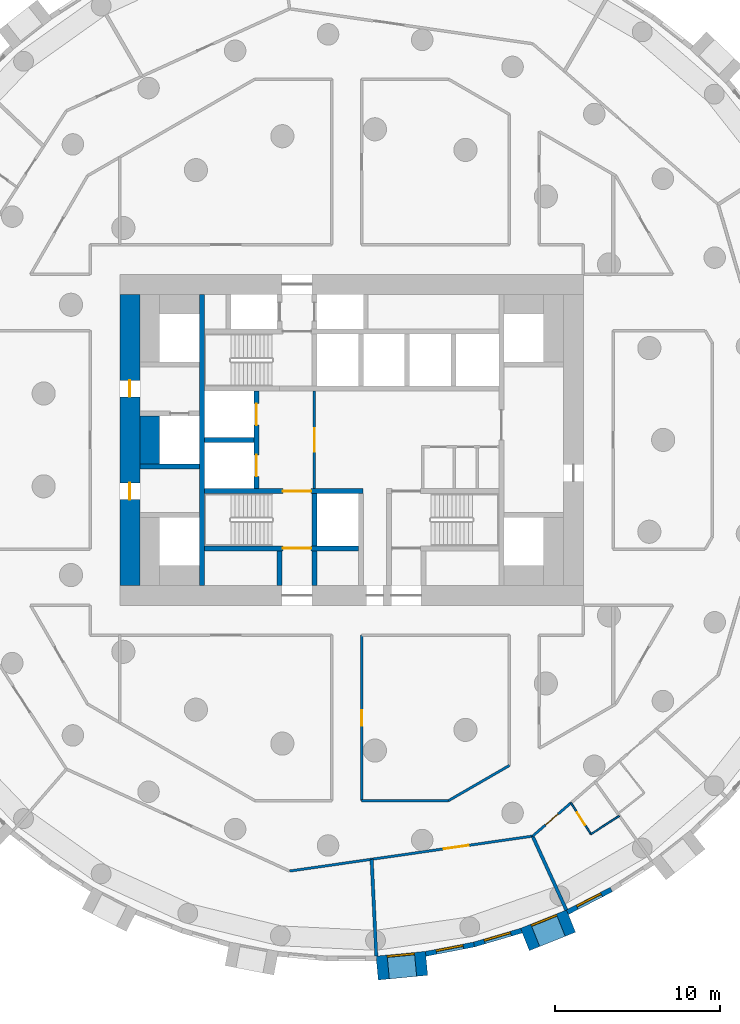
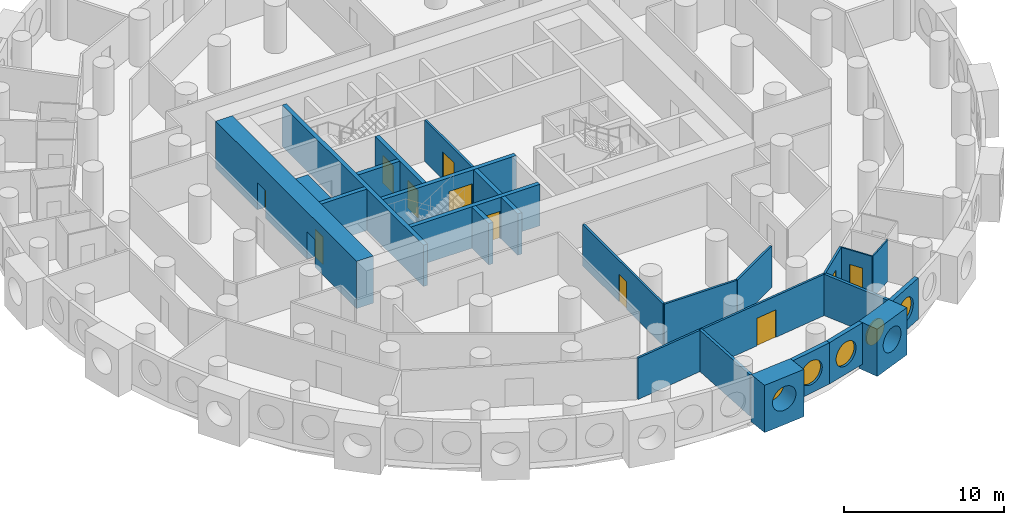
# One storey, part 4 of 11: 26 walls, 11 doors, 5 windows, 16 openings.
"""IFC4 building model written with IfcOpenShell, lengths in metres."""

from ifc_helpers import new_model, si_unit, direction, frame, frame_2d, origin, origin_2d, place, context, subcontext, project, spatial, rectangle, circle, extrude, material, layer, layer_set, type_object, element, fill, save


model = new_model("IFC4")

# Units and contexts
model_context = context("Model", 3, precision=1e-05, world=origin(), true_north=direction((0.0, 1.0)))
body_context = subcontext(model_context, "Body", "Model", "MODEL_VIEW")
ifc_project = project(units=[si_unit("LENGTHUNIT", "METRE"), si_unit("AREAUNIT", "SQUARE_METRE"), si_unit("VOLUMEUNIT", "CUBIC_METRE"), si_unit("PLANEANGLEUNIT", "RADIAN"), si_unit("MASSUNIT", "GRAM", prefix="KILO")], contexts=[model_context])

# Site, building, storey
site_placement = place(None, origin())
site = spatial("IfcSite", under=ifc_project, at=site_placement, CompositionType="ELEMENT")
building_placement = place(site_placement, origin())
building = spatial("IfcBuilding", under=site, at=building_placement, Name="Tracery Tower", CompositionType="ELEMENT")
storey_placement = place(building_placement, frame((0.0, 0.0, 67.800048828125)))
storey = spatial("IfcBuildingStorey", under=building, at=storey_placement, Name="L16", CompositionType="ELEMENT", Elevation=67.800048828125)

# Wall, opening, door
ifc_material_1 = material(Name="Plasterboard on steel studs", Category="steel")
ifc_layer_1 = layer(ifc_material_1, 0.14990234375)
ifc_layer_set_1 = layer_set([ifc_layer_1], Name="Core lobby partition 150")
wall_type_1 = type_object("IfcWallType", Name="Core lobby partition 150", PredefinedType="SOLIDWALL", material=ifc_layer_set_1)
wall_1_placement = place(storey_placement, frame((-2.25, -2.949951171875, 0.0), z_axis=(0.0, 0.0, 1.0), x_axis=(0.0, 1.0, 0.0)))
wall_1 = element("IfcWall", 1, at=wall_1_placement, inside=storey, type_object=wall_type_1, Name="L16 FF lobby E", PredefinedType="SOLIDWALL", context=body_context, shape_type="SweptSolid", body=[
    extrude(rectangle(XDim=5.89990234375, YDim=0.14990234375, at=frame_2d((2.949951171875, 0.0))), origin(), (0.0, 0.0, 1.0), 3.14990234375),
])
opening_1_placement = place(wall_1_placement, frame((2.25, 0.0, 0.0)))
opening_1 = element("IfcOpeningElement", 2, at=opening_1_placement, cuts=wall_1, Name="Opening KD8", PredefinedType="OPENING", context=body_context, shape_type="SweptSolid", body=[
    extrude(rectangle(XDim=1.39990234375, YDim=2.10009765625, at=frame_2d((0.699951171875, 1.050048828125))), frame((0.0, 0.074951171875, 0.0), z_axis=(0.0, -1.0, 0.0), x_axis=(1.0, 0.0, 0.0)), (0.0, 0.0, 1.0), 0.14990234375),
])
ifc_material_2 = material(Name="Steel fire door", Category="steel")
door_type_1 = type_object("IfcDoorType", Name="Core lobby door 1400 double", OperationType="NOTDEFINED", PredefinedType="DOOR", material=ifc_material_2)
door_1_placement = place(opening_1_placement, origin())
door_1 = element("IfcDoor", 3, at=door_1_placement, inside=storey, type_object=door_type_1, Name="Fire-fighting lobby door", OperationType="DOUBLE_DOOR_SINGLE_SWING", OverallHeight=2.10009765625, OverallWidth=1.39990234375, PredefinedType="DOOR", context=body_context, shape_type="SweptSolid", body=[
    extrude(rectangle(XDim=1.39990234375, YDim=2.10009765625, at=frame_2d((0.699951171875, 1.050048828125))), frame((0.0, 0.02490234375, 0.0), z_axis=(0.0, -1.0, 0.0), x_axis=(1.0, 0.0, 0.0)), (0.0, 0.0, 1.0), 0.050048828125),
])
fill(opening_1, door_1)

# Wall
ifc_material_3 = material(Name="Concrete C60/75", Category="concrete")
ifc_layer_2 = layer(ifc_material_3, 1.199951171875)
ifc_layer_set_2 = layer_set([ifc_layer_2], Name="Core strip wall 1200 C60")
wall_type_2 = type_object("IfcWallType", Name="Core strip wall 1200 C60", PredefinedType="SOLIDWALL", material=ifc_layer_set_2)
wall_2_placement = place(storey_placement, frame((-12.199951171875, -1.449951171875, 0.0), z_axis=(0.0, 0.0, 1.0), x_axis=(0.0, 1.0, 0.0)))
element("IfcWall", 4, at=wall_2_placement, inside=storey, type_object=wall_type_2, Name="L16 wing strip -1 -1.6", PredefinedType="SOLIDWALL", context=body_context, shape_type="SweptSolid", body=[
    extrude(rectangle(XDim=2.89990234375, YDim=1.199951171875, at=frame_2d((1.449951171875, 0.0))), origin(), (0.0, 0.0, 1.0), 3.14990234375),
])

# Wall, openings, doors
ifc_material_4 = material(Name="Concrete C60/75", Category="concrete")
ifc_layer_3 = layer(ifc_material_4, 1.199951171875)
ifc_layer_set_3 = layer_set([ifc_layer_3], Name="Core wall 1200 C60")
wall_type_3 = type_object("IfcWallType", Name="Core wall 1200 C60", PredefinedType="SOLIDWALL", material=ifc_layer_set_3)
wall_3_placement = place(storey_placement, frame((-13.39990234375, -8.800048828125, 0.0), z_axis=(0.0, 0.0, 1.0), x_axis=(0.0, 1.0, 0.0)))
wall_3 = element("IfcWall", 5, at=wall_3_placement, inside=storey, type_object=wall_type_3, Name="L16 outer W", PredefinedType="SOLIDWALL", context=body_context, shape_type="SweptSolid", body=[
    extrude(rectangle(XDim=17.60009765625, YDim=1.199951171875, at=frame_2d((8.800048828125, 0.0))), origin(), (0.0, 0.0, 1.0), 3.599853515625),
])
opening_2_placement = place(wall_3_placement, frame((5.199951171875, 0.0, 0.0)))
opening_2 = element("IfcOpeningElement", 6, at=opening_2_placement, cuts=wall_3, Name="Opening KD18", PredefinedType="OPENING", context=body_context, shape_type="SweptSolid", body=[
    extrude(rectangle(XDim=1.0, YDim=2.10009765625, at=frame_2d((0.5, 1.050048828125))), frame((0.0, 0.60009765625, 0.0), z_axis=(0.0, -1.0, 0.0), x_axis=(1.0, 0.0, 0.0)), (0.0, 0.0, 1.0), 1.199951171875),
])
opening_3_placement = place(wall_3_placement, frame((11.39990234375, 0.0, 0.0)))
opening_3 = element("IfcOpeningElement", 7, at=opening_3_placement, cuts=wall_3, Name="Opening KD18", PredefinedType="OPENING", context=body_context, shape_type="SweptSolid", body=[
    extrude(rectangle(XDim=1.0, YDim=2.10009765625, at=frame_2d((0.5, 1.050048828125))), frame((0.0, 0.60009765625, 0.0), z_axis=(0.0, -1.0, 0.0), x_axis=(1.0, 0.0, 0.0)), (0.0, 0.0, 1.0), 1.199951171875),
])
ifc_material_5 = material(Name="Steel fire door", Category="steel")
door_type_2 = type_object("IfcDoorType", Name="Core exit door 1000", OperationType="NOTDEFINED", PredefinedType="DOOR", material=ifc_material_5)
door_2_placement = place(opening_2_placement, origin())
door_2 = element("IfcDoor", 8, at=door_2_placement, inside=storey, type_object=door_type_2, Name="Core exit door", OperationType="DOUBLE_DOOR_SINGLE_SWING", OverallHeight=2.10009765625, OverallWidth=1.0, PredefinedType="DOOR", context=body_context, shape_type="SweptSolid", body=[
    extrude(rectangle(XDim=1.0, YDim=2.10009765625, at=frame_2d((0.5, 1.050048828125))), frame((0.0, 0.02490234375, 0.0), z_axis=(0.0, -1.0, 0.0), x_axis=(1.0, 0.0, 0.0)), (0.0, 0.0, 1.0), 0.050048828125),
])
fill(opening_2, door_2)
door_3_placement = place(opening_3_placement, origin())
door_3 = element("IfcDoor", 9, at=door_3_placement, inside=storey, type_object=door_type_2, Name="Core exit door", OperationType="DOUBLE_DOOR_SINGLE_SWING", OverallHeight=2.10009765625, OverallWidth=1.0, PredefinedType="DOOR", context=body_context, shape_type="SweptSolid", body=[
    extrude(rectangle(XDim=1.0, YDim=2.10009765625, at=frame_2d((0.5, 1.050048828125))), frame((0.0, 0.02490234375, 0.0), z_axis=(0.0, -1.0, 0.0), x_axis=(1.0, 0.0, 0.0)), (0.0, 0.0, 1.0), 0.050048828125),
])
fill(opening_3, door_3)

# Wall, opening, window
ifc_material_6 = material(Name="Precast concrete C50/60", Category="concrete")
ifc_layer_4 = layer(ifc_material_6, 1.449951171875)
ifc_layer_set_4 = layer_set([ifc_layer_4], Name="Deep-set bay unit 3000 x 3600, slab edge 450")
wall_type_4 = type_object("IfcWallType", Name="Deep-set bay unit 3000 x 3600, slab edge 450", PredefinedType="ELEMENTEDWALL", material=ifc_layer_set_4)
wall_4_placement = place(storey_placement, frame((1.540283203125, -31.911865234375, -0.449951171875), z_axis=(0.0, 0.0, 1.0), x_axis=(0.995472768558, 0.09504718333, 0.0)))
wall_4 = element("IfcWall", 10, at=wall_4_placement, inside=storey, type_object=wall_type_4, Name="Deep-set bay unit 51 at L16", PredefinedType="ELEMENTEDWALL", context=body_context, shape_type="SweptSolid", body=[
    extrude(rectangle(XDim=3.000244140625, YDim=1.449951171875, at=frame_2d((1.5, 0.0))), origin(), (0.0, 0.0, 1.0), 3.599853515625),
])
opening_4_placement = place(wall_4_placement, frame((1.5, 0.0, 2.0)))
opening_4 = element("IfcOpeningElement", 11, at=opening_4_placement, cuts=wall_4, Name="Opening WN1", PredefinedType="OPENING", context=body_context, shape_type="SweptSolid", body=[
    extrude(circle(Radius=0.9000244140625, at=origin_2d()), frame((0.0, 0.73486328125, 0.0), z_axis=(0.0, -1.0, 0.0), x_axis=(1.0, 0.0, 0.0)), (0.0, 0.0, 1.0), 1.469970703125),
])
ifc_material_7 = material(Name="Aluminium frame with tinted double glazing", Category="aluminium")
window_type = type_object("IfcWindowType", Name="Round window 1800", PartitioningType="SINGLE_PANEL", PredefinedType="WINDOW", material=ifc_material_7)
window_1_placement = place(opening_4_placement, origin())
window_1 = element("IfcWindow", 12, at=window_1_placement, inside=storey, type_object=window_type, Name="Round window 51 at L16", OverallHeight=1.800048828125, OverallWidth=1.800048828125, PartitioningType="SINGLE_PANEL", PredefinedType="WINDOW", context=body_context, shape_type="SweptSolid", body=[
    extrude(circle(Radius=0.9000244140625, at=origin_2d()), frame((0.0, 0.69482421875, 0.0), z_axis=(0.0, -1.0, 0.0), x_axis=(1.0, 0.0, 0.0)), (0.0, 0.0, 1.0), 0.10009765625),
])
fill(opening_4, window_1)

wall_5_placement = place(storey_placement, frame((10.46875, -30.185302734375, -0.449951171875), z_axis=(0.0, 0.0, 1.0), x_axis=(0.928358776184, 0.371685327504, 0.0)))
wall_5 = element("IfcWall", 13, at=wall_5_placement, inside=storey, type_object=wall_type_4, Name="Deep-set bay unit 54 at L16", PredefinedType="ELEMENTEDWALL", context=body_context, shape_type="SweptSolid", body=[
    extrude(rectangle(XDim=2.999755859375, YDim=1.449951171875, at=frame_2d((1.5, 0.0))), origin(), (0.0, 0.0, 1.0), 3.599853515625),
])
opening_5_placement = place(wall_5_placement, frame((1.5, 0.0, 2.0)))
opening_5 = element("IfcOpeningElement", 14, at=opening_5_placement, cuts=wall_5, Name="Opening WN1", PredefinedType="OPENING", context=body_context, shape_type="SweptSolid", body=[
    extrude(circle(Radius=0.9000244140625, at=origin_2d()), frame((0.0, 0.73486328125, 0.0), z_axis=(0.0, -1.0, 0.0), x_axis=(1.0, 0.0, 0.0)), (0.0, 0.0, 1.0), 1.469970703125),
])
window_2_placement = place(opening_5_placement, origin())
window_2 = element("IfcWindow", 15, at=window_2_placement, inside=storey, type_object=window_type, Name="Round window 54 at L16", OverallHeight=1.800048828125, OverallWidth=1.800048828125, PartitioningType="SINGLE_PANEL", PredefinedType="WINDOW", context=body_context, shape_type="SweptSolid", body=[
    extrude(circle(Radius=0.9000244140625, at=origin_2d()), frame((0.0, 0.69482421875, 0.0), z_axis=(0.0, -1.0, 0.0), x_axis=(1.0, 0.0, 0.0)), (0.0, 0.0, 1.0), 0.10009765625),
])
fill(opening_5, window_2)

ifc_material_8 = material(Name="Precast concrete C50/60", Category="concrete")
ifc_layer_5 = layer(ifc_material_8, 0.300048828125)
ifc_layer_set_5 = layer_set([ifc_layer_5], Name="Facade panel 3000 x 3150")
wall_type_5 = type_object("IfcWallType", Name="Facade panel 3000 x 3150", PredefinedType="SOLIDWALL", material=ifc_layer_set_5)
wall_6_placement = place(storey_placement, frame((4.470947265625, -31.053955078125, 0.0), z_axis=(0.0, 0.0, 1.0), x_axis=(0.981924535406, 0.189272836848, 0.0)))
wall_6 = element("IfcWall", 16, at=wall_6_placement, inside=storey, type_object=wall_type_5, Name="Facade panel 52 at L16", PredefinedType="SOLIDWALL", context=body_context, shape_type="SweptSolid", body=[
    extrude(rectangle(XDim=2.979736328125, YDim=0.300048828125, at=frame_2d((1.48974609375, 0.0))), origin(), (0.0, 0.0, 1.0), 3.14990234375),
])
opening_6_placement = place(wall_6_placement, frame((1.48974609375, 0.0, 1.5498046875)))
opening_6 = element("IfcOpeningElement", 17, at=opening_6_placement, cuts=wall_6, Name="Opening WN1", PredefinedType="OPENING", context=body_context, shape_type="SweptSolid", body=[
    extrude(circle(Radius=0.9000244140625, at=origin_2d()), frame((0.0, 0.159912109375, 0.0), z_axis=(0.0, -1.0, 0.0), x_axis=(1.0, 0.0, 0.0)), (0.0, 0.0, 1.0), 0.320068359375),
])
window_3_placement = place(opening_6_placement, origin())
window_3 = element("IfcWindow", 18, at=window_3_placement, inside=storey, type_object=window_type, Name="Round window 52 at L16", OverallHeight=1.800048828125, OverallWidth=1.800048828125, PartitioningType="SINGLE_PANEL", PredefinedType="WINDOW", context=body_context, shape_type="SweptSolid", body=[
    extrude(circle(Radius=0.9000244140625, at=origin_2d()), frame((0.0, 0.1201171875, 0.0), z_axis=(0.0, -1.0, 0.0), x_axis=(1.0, 0.0, 0.0)), (0.0, 0.0, 1.0), 0.10009765625),
])
fill(opening_6, window_3)

wall_7_placement = place(storey_placement, frame((7.396728515625, -30.489990234375, 0.0), z_axis=(0.0, 0.0, 1.0), x_axis=(0.959507586834, 0.28168278401, 0.0)))
wall_7 = element("IfcWall", 19, at=wall_7_placement, inside=storey, type_object=wall_type_5, Name="Facade panel 53 at L16", PredefinedType="SOLIDWALL", context=body_context, shape_type="SweptSolid", body=[
    extrude(rectangle(XDim=2.979736328125, YDim=0.300048828125, at=frame_2d((1.48974609375, 0.0))), origin(), (0.0, 0.0, 1.0), 3.14990234375),
])
opening_7_placement = place(wall_7_placement, frame((1.48974609375, 0.0, 1.5498046875)))
opening_7 = element("IfcOpeningElement", 20, at=opening_7_placement, cuts=wall_7, Name="Opening WN1", PredefinedType="OPENING", context=body_context, shape_type="SweptSolid", body=[
    extrude(circle(Radius=0.9000244140625, at=origin_2d()), frame((0.0, 0.159912109375, 0.0), z_axis=(0.0, -1.0, 0.0), x_axis=(1.0, 0.0, 0.0)), (0.0, 0.0, 1.0), 0.320068359375),
])
window_4_placement = place(opening_7_placement, origin())
window_4 = element("IfcWindow", 21, at=window_4_placement, inside=storey, type_object=window_type, Name="Round window 53 at L16", OverallHeight=1.800048828125, OverallWidth=1.800048828125, PartitioningType="SINGLE_PANEL", PredefinedType="WINDOW", context=body_context, shape_type="SweptSolid", body=[
    extrude(circle(Radius=0.9000244140625, at=origin_2d()), frame((0.0, 0.1201171875, 0.0), z_axis=(0.0, -1.0, 0.0), x_axis=(1.0, 0.0, 0.0)), (0.0, 0.0, 1.0), 0.10009765625),
])
fill(opening_7, window_4)

wall_8_placement = place(storey_placement, frame((13.038818359375, -28.536376953125, 0.0), z_axis=(0.0, 0.0, 1.0), x_axis=(0.888853225096, 0.4581920386, 0.0)))
wall_8 = element("IfcWall", 22, at=wall_8_placement, inside=storey, type_object=wall_type_5, Name="Facade panel 55 at L16", PredefinedType="SOLIDWALL", context=body_context, shape_type="SweptSolid", body=[
    extrude(rectangle(XDim=2.9794921875, YDim=0.300048828125, at=frame_2d((1.48974609375, 0.0))), origin(), (0.0, 0.0, 1.0), 3.14990234375),
])
opening_8_placement = place(wall_8_placement, frame((1.48974609375, 0.0, 1.5498046875)))
opening_8 = element("IfcOpeningElement", 23, at=opening_8_placement, cuts=wall_8, Name="Opening WN1", PredefinedType="OPENING", context=body_context, shape_type="SweptSolid", body=[
    extrude(circle(Radius=0.9000244140625, at=origin_2d()), frame((0.0, 0.159912109375, 0.0), z_axis=(0.0, -1.0, 0.0), x_axis=(1.0, 0.0, 0.0)), (0.0, 0.0, 1.0), 0.320068359375),
])
window_5_placement = place(opening_8_placement, origin())
window_5 = element("IfcWindow", 24, at=window_5_placement, inside=storey, type_object=window_type, Name="Round window 55 at L16", OverallHeight=1.800048828125, OverallWidth=1.800048828125, PartitioningType="SINGLE_PANEL", PredefinedType="WINDOW", context=body_context, shape_type="SweptSolid", body=[
    extrude(circle(Radius=0.9000244140625, at=origin_2d()), frame((0.0, 0.1201171875, 0.0), z_axis=(0.0, -1.0, 0.0), x_axis=(1.0, 0.0, 0.0)), (0.0, 0.0, 1.0), 0.10009765625),
])
fill(opening_8, window_5)

# Wall, opening, door
ifc_material_9 = material(Name="Plasterboard on steel studs", Category="steel")
ifc_layer_6 = layer(ifc_material_9, 0.10009765625)
ifc_layer_set_6 = layer_set([ifc_layer_6], Name="Partition 100 wet wall")
wall_type_6 = type_object("IfcWallType", Name="Partition 100 wet wall", PredefinedType="PARTITIONING", material=ifc_layer_set_6)
wall_9_placement = place(storey_placement, frame((13.248046875, -21.93505859375, 0.0), z_axis=(0.0, 0.0, 1.0), x_axis=(0.540597960994, -0.841281073464, 0.0)))
wall_9 = element("IfcWall", 25, at=wall_9_placement, inside=storey, type_object=wall_type_6, Name="Wet wall RA4-087", PredefinedType="PARTITIONING", context=body_context, shape_type="SweptSolid", body=[
    extrude(rectangle(XDim=2.24169921875, YDim=0.10009765625, at=frame_2d((1.120849609375, 0.0))), origin(), (0.0, 0.0, 1.0), 3.14990234375),
])
opening_9_placement = place(wall_9_placement, frame((0.6708984375, 0.0, 0.0)))
opening_9 = element("IfcOpeningElement", 26, at=opening_9_placement, cuts=wall_9, Name="Opening RA4-30", PredefinedType="OPENING", context=body_context, shape_type="SweptSolid", body=[
    extrude(rectangle(XDim=0.89990234375, YDim=2.0400390625, at=frame_2d((0.449951171875, 1.02001953125))), frame((0.0, 0.050048828125, 0.0), z_axis=(0.0, -1.0, 0.0), x_axis=(1.0, 0.0, 0.0)), (0.0, 0.0, 1.0), 0.10009765625),
])
ifc_material_10 = material(Name="Timber door leaf", Category="wood")
door_type_3 = type_object("IfcDoorType", Name="Door en-suite 900", OperationType="NOTDEFINED", PredefinedType="DOOR", material=ifc_material_10)
door_4_placement = place(opening_9_placement, origin())
door_4 = element("IfcDoor", 27, at=door_4_placement, inside=storey, type_object=door_type_3, Name="En-suite door RA4-30", OperationType="SINGLE_SWING_RIGHT", OverallHeight=2.0400390625, OverallWidth=0.89990234375, PredefinedType="DOOR", context=body_context, shape_type="SweptSolid", body=[
    extrude(rectangle(XDim=0.89990234375, YDim=2.0400390625, at=frame_2d((0.449951171875, 1.02001953125))), frame((0.0, 0.02490234375, 0.0), z_axis=(0.0, -1.0, 0.0), x_axis=(1.0, 0.0, 0.0)), (0.0, 0.0, 1.0), 0.050048828125),
])
fill(opening_9, door_4)

# Wall
wall_10_placement = place(storey_placement, frame((14.4599609375, -23.821044921875, 0.0), z_axis=(0.0, 0.0, 1.0), x_axis=(0.841135728185, 0.540824081168, 0.0)))
element("IfcWall", 28, at=wall_10_placement, inside=storey, type_object=wall_type_6, Name="Wet wall RA4-088", PredefinedType="PARTITIONING", context=body_context, shape_type="SweptSolid", body=[
    extrude(rectangle(XDim=2.041259765625, YDim=0.10009765625, at=frame_2d((1.0205078125, 0.0))), origin(), (0.0, 0.0, 1.0), 3.14990234375),
])

# Wall, opening, door
ifc_material_11 = material(Name="Plasterboard on steel studs", Category="steel")
ifc_layer_7 = layer(ifc_material_11, 0.14990234375)
ifc_layer_set_7 = layer_set([ifc_layer_7], Name="Partition 150 corridor wall")
wall_type_7 = type_object("IfcWallType", Name="Partition 150 corridor wall", PredefinedType="PARTITIONING", material=ifc_layer_set_7)
wall_11_placement = place(storey_placement, frame((0.60791015625, -21.802001953125, 0.0), z_axis=(0.0, 0.0, 1.0), x_axis=(0.0, 1.0, 0.0)))
wall_11 = element("IfcWall", 29, at=wall_11_placement, inside=storey, type_object=wall_type_7, Name="Corridor wall RA4-052", PredefinedType="PARTITIONING", context=body_context, shape_type="SweptSolid", body=[
    extrude(rectangle(XDim=10.001953125, YDim=0.14990234375, at=frame_2d((5.0009765625, 0.0))), origin(), (0.0, 0.0, 1.0), 3.14990234375),
])
opening_10_placement = place(wall_11_placement, frame((4.52587890625, 0.0, 0.0)))
opening_10 = element("IfcOpeningElement", 30, at=opening_10_placement, cuts=wall_11, Name="Opening RA4-05", PredefinedType="OPENING", context=body_context, shape_type="SweptSolid", body=[
    extrude(rectangle(XDim=0.949951171875, YDim=2.10009765625, at=frame_2d((0.47509765625, 1.050048828125))), frame((0.0, 0.074951171875, 0.0), z_axis=(0.0, -1.0, 0.0), x_axis=(1.0, 0.0, 0.0)), (0.0, 0.0, 1.0), 0.14990234375),
])
ifc_material_12 = material(Name="Timber door leaf", Category="wood")
door_type_4 = type_object("IfcDoorType", Name="Door store 950", OperationType="NOTDEFINED", PredefinedType="DOOR", material=ifc_material_12)
door_5_placement = place(opening_10_placement, origin())
door_5 = element("IfcDoor", 31, at=door_5_placement, inside=storey, type_object=door_type_4, Name="Store door RA4-05", OperationType="SINGLE_SWING_RIGHT", OverallHeight=2.10009765625, OverallWidth=0.949951171875, PredefinedType="DOOR", context=body_context, shape_type="SweptSolid", body=[
    extrude(rectangle(XDim=0.949951171875, YDim=2.10009765625, at=frame_2d((0.47509765625, 1.050048828125))), frame((0.0, 0.02490234375, 0.0), z_axis=(0.0, -1.0, 0.0), x_axis=(1.0, 0.0, 0.0)), (0.0, 0.0, 1.0), 0.050048828125),
])
fill(opening_10, door_5)

# Walls
wall_12_placement = place(storey_placement, frame((0.60791015625, -21.802001953125, 0.0), z_axis=(0.0, 0.0, 1.0), x_axis=(1.0, 0.0, 0.0)))
element("IfcWall", 32, at=wall_12_placement, inside=storey, type_object=wall_type_7, Name="Corridor wall RA4-053", PredefinedType="PARTITIONING", context=body_context, shape_type="SweptSolid", body=[
    extrude(rectangle(XDim=5.234130859375, YDim=0.14990234375, at=frame_2d((2.6171875, 0.0))), origin(), (0.0, 0.0, 1.0), 3.14990234375),
])
wall_13_placement = place(storey_placement, frame((5.842041015625, -21.802001953125, 0.0), z_axis=(0.0, 0.0, 1.0), x_axis=(0.865983505205, 0.500072563448, 0.0)))
element("IfcWall", 33, at=wall_13_placement, inside=storey, type_object=wall_type_7, Name="Corridor wall RA4-054", PredefinedType="PARTITIONING", context=body_context, shape_type="SweptSolid", body=[
    extrude(rectangle(XDim=4.265380859375, YDim=0.14990234375, at=frame_2d((2.1328125, 0.0))), origin(), (0.0, 0.0, 1.0), 3.14990234375),
])

# Wall, opening, door
wall_14_placement = place(storey_placement, frame((-3.74609375, -26.051025390625, 0.0), z_axis=(0.0, 0.0, 1.0), x_axis=(0.9898137179, 0.142368549395, 0.0)))
wall_14 = element("IfcWall", 34, at=wall_14_placement, inside=storey, type_object=wall_type_7, Name="Corridor wall RA4-058", PredefinedType="PARTITIONING", context=body_context, shape_type="SweptSolid", body=[
    extrude(rectangle(XDim=14.830078125, YDim=0.14990234375, at=frame_2d((7.4150390625, 0.0))), origin(), (0.0, 0.0, 1.0), 3.14990234375),
])
opening_11_placement = place(wall_14_placement, frame((9.4150390625, 0.0, 0.0)))
opening_11 = element("IfcOpeningElement", 35, at=opening_11_placement, cuts=wall_14, Name="Opening RA4-29", PredefinedType="OPENING", context=body_context, shape_type="SweptSolid", body=[
    extrude(rectangle(XDim=1.5, YDim=2.10009765625, at=frame_2d((0.75, 1.050048828125))), frame((0.0, 0.074951171875, 0.0), z_axis=(0.0, -1.0, 0.0), x_axis=(1.0, 0.0, 0.0)), (0.0, 0.0, 1.0), 0.14990234375),
])
ifc_material_13 = material(Name="Timber door leaf", Category="wood")
door_type_5 = type_object("IfcDoorType", Name="Door double kitchen 1500", OperationType="NOTDEFINED", PredefinedType="DOOR", material=ifc_material_13)
door_6_placement = place(opening_11_placement, origin())
door_6 = element("IfcDoor", 36, at=door_6_placement, inside=storey, type_object=door_type_5, Name="Double kitchen door RA4-29", OperationType="DOUBLE_DOOR_SINGLE_SWING", OverallHeight=2.10009765625, OverallWidth=1.5, PredefinedType="DOOR", context=body_context, shape_type="SweptSolid", body=[
    extrude(rectangle(XDim=1.5, YDim=2.10009765625, at=frame_2d((0.75, 1.050048828125))), frame((0.0, 0.02490234375, 0.0), z_axis=(0.0, -1.0, 0.0), x_axis=(1.0, 0.0, 0.0)), (0.0, 0.0, 1.0), 0.050048828125),
])
fill(opening_11, door_6)

wall_15_placement = place(storey_placement, frame((10.93310546875, -23.93994140625, 0.0), z_axis=(0.0, 0.0, 1.0), x_axis=(0.755675945931, 0.654945696025, 0.0)))
wall_15 = element("IfcWall", 37, at=wall_15_placement, inside=storey, type_object=wall_type_7, Name="Corridor wall RA4-060", PredefinedType="PARTITIONING", context=body_context, shape_type="SweptSolid", body=[
    extrude(rectangle(XDim=3.06591796875, YDim=0.14990234375, at=frame_2d((1.532958984375, 0.0))), origin(), (0.0, 0.0, 1.0), 3.14990234375),
])
opening_12_placement = place(wall_15_placement, frame((1.032958984375, 0.0, 0.0)))
opening_12 = element("IfcOpeningElement", 38, at=opening_12_placement, cuts=wall_15, Name="Opening RA4-31", PredefinedType="OPENING", context=body_context, shape_type="SweptSolid", body=[
    extrude(rectangle(XDim=1.0, YDim=2.10009765625, at=frame_2d((0.5, 1.050048828125))), frame((0.0, 0.074951171875, 0.0), z_axis=(0.0, -1.0, 0.0), x_axis=(1.0, 0.0, 0.0)), (0.0, 0.0, 1.0), 0.14990234375),
])
ifc_material_14 = material(Name="Timber door leaf", Category="wood")
door_type_6 = type_object("IfcDoorType", Name="Door unit entrance 1000", OperationType="NOTDEFINED", PredefinedType="DOOR", material=ifc_material_14)
door_7_placement = place(opening_12_placement, origin())
door_7 = element("IfcDoor", 39, at=door_7_placement, inside=storey, type_object=door_type_6, Name="Unit entrance door RA4-31", OperationType="SINGLE_SWING_LEFT", OverallHeight=2.10009765625, OverallWidth=1.0, PredefinedType="DOOR", context=body_context, shape_type="SweptSolid", body=[
    extrude(rectangle(XDim=1.0, YDim=2.10009765625, at=frame_2d((0.5, 1.050048828125))), frame((0.0, 0.02490234375, 0.0), z_axis=(0.0, -1.0, 0.0), x_axis=(1.0, 0.0, 0.0)), (0.0, 0.0, 1.0), 0.050048828125),
])
fill(opening_12, door_7)

# Walls
ifc_material_15 = material(Name="Plasterboard on steel studs", Category="steel")
ifc_layer_8 = layer(ifc_material_15, 0.199951171875)
ifc_layer_set_8 = layer_set([ifc_layer_8], Name="Partition 200 compartment wall")
wall_type_8 = type_object("IfcWallType", Name="Partition 200 compartment wall", PredefinedType="PARTITIONING", material=ifc_layer_set_8)
wall_16_placement = place(storey_placement, frame((1.20703125, -25.339111328125, 0.0), z_axis=(0.0, 0.0, 1.0), x_axis=(0.047648334785, -0.998864173045, 0.0)))
element("IfcWall", 40, at=wall_16_placement, inside=storey, type_object=wall_type_8, Name="Compartment wall RA4-085", PredefinedType="PARTITIONING", context=body_context, shape_type="SweptSolid", body=[
    extrude(rectangle(XDim=5.8564453125, YDim=0.199951171875, at=frame_2d((2.92822265625, 0.0))), origin(), (0.0, 0.0, 1.0), 3.14990234375),
])
wall_17_placement = place(storey_placement, frame((10.93310546875, -23.93994140625, 0.0), z_axis=(0.0, 0.0, 1.0), x_axis=(0.415346954488, -0.909663073559, 0.0)))
element("IfcWall", 41, at=wall_17_placement, inside=storey, type_object=wall_type_8, Name="Compartment wall RA4-086", PredefinedType="PARTITIONING", context=body_context, shape_type="SweptSolid", body=[
    extrude(rectangle(XDim=4.90625, YDim=0.199951171875, at=frame_2d((2.453125, 0.0))), origin(), (0.0, 0.0, 1.0), 3.14990234375),
])
ifc_material_16 = material(Name="Concrete C60/75", Category="concrete")
ifc_layer_9 = layer(ifc_material_16, 0.300048828125)
ifc_layer_set_9 = layer_set([ifc_layer_9], Name="Shaft wall 300 C60")
wall_type_9 = type_object("IfcWallType", Name="Shaft wall 300 C60", PredefinedType="SOLIDWALL", material=ifc_layer_set_9)
wall_18_placement = place(storey_placement, frame((-8.89990234375, 0.0, 0.0), z_axis=(0.0, 0.0, 1.0), x_axis=(1.0, 0.0, 0.0)))
element("IfcWall", 42, at=wall_18_placement, inside=storey, type_object=wall_type_9, Name="L16 FF split", PredefinedType="SOLIDWALL", context=body_context, shape_type="SweptSolid", body=[
    extrude(rectangle(XDim=3.0, YDim=0.300048828125, at=frame_2d((1.5, 0.0))), origin(), (0.0, 0.0, 1.0), 3.14990234375),
])

# Wall, openings, doors
wall_19_placement = place(storey_placement, frame((-5.75, -2.949951171875, 0.0), z_axis=(0.0, 0.0, 1.0), x_axis=(0.0, 1.0, 0.0)))
wall_19 = element("IfcWall", 43, at=wall_19_placement, inside=storey, type_object=wall_type_9, Name="L16 FF doors", PredefinedType="SOLIDWALL", context=body_context, shape_type="SweptSolid", body=[
    extrude(rectangle(XDim=5.89990234375, YDim=0.300048828125, at=frame_2d((2.949951171875, 0.0))), origin(), (0.0, 0.0, 1.0), 3.14990234375),
])
opening_13_placement = place(wall_19_placement, frame((0.75, 0.0, 0.0)))
opening_13 = element("IfcOpeningElement", 44, at=opening_13_placement, cuts=wall_19, Name="Opening KD54", PredefinedType="OPENING", context=body_context, shape_type="SweptSolid", body=[
    extrude(rectangle(XDim=1.300048828125, YDim=2.10009765625, at=frame_2d((0.64990234375, 1.050048828125))), frame((0.0, 0.14990234375, 0.0), z_axis=(0.0, -1.0, 0.0), x_axis=(1.0, 0.0, 0.0)), (0.0, 0.0, 1.0), 0.300048828125),
])
opening_14_placement = place(wall_19_placement, frame((3.85009765625, 0.0, 0.0)))
opening_14 = element("IfcOpeningElement", 45, at=opening_14_placement, cuts=wall_19, Name="Opening KD55", PredefinedType="OPENING", context=body_context, shape_type="SweptSolid", body=[
    extrude(rectangle(XDim=1.300048828125, YDim=2.10009765625, at=frame_2d((0.64990234375, 1.050048828125))), frame((0.0, 0.14990234375, 0.0), z_axis=(0.0, -1.0, 0.0), x_axis=(1.0, 0.0, 0.0)), (0.0, 0.0, 1.0), 0.300048828125),
])
ifc_material_17 = material(Name="Steel fire door", Category="steel")
door_type_7 = type_object("IfcDoorType", Name="Landing door FF 1300", OperationType="NOTDEFINED", PredefinedType="DOOR", material=ifc_material_17)
door_8_placement = place(opening_13_placement, origin())
door_8 = element("IfcDoor", 46, at=door_8_placement, inside=storey, type_object=door_type_7, Name="Landing door FF1", OperationType="SLIDING_TO_LEFT", OverallHeight=2.10009765625, OverallWidth=1.300048828125, PredefinedType="DOOR", context=body_context, shape_type="SweptSolid", body=[
    extrude(rectangle(XDim=1.300048828125, YDim=2.10009765625, at=frame_2d((0.64990234375, 1.050048828125))), frame((0.0, 0.02490234375, 0.0), z_axis=(0.0, -1.0, 0.0), x_axis=(1.0, 0.0, 0.0)), (0.0, 0.0, 1.0), 0.050048828125),
])
fill(opening_13, door_8)
door_9_placement = place(opening_14_placement, origin())
door_9 = element("IfcDoor", 47, at=door_9_placement, inside=storey, type_object=door_type_7, Name="Landing door FF2", OperationType="SLIDING_TO_RIGHT", OverallHeight=2.10009765625, OverallWidth=1.300048828125, PredefinedType="DOOR", context=body_context, shape_type="SweptSolid", body=[
    extrude(rectangle(XDim=1.300048828125, YDim=2.10009765625, at=frame_2d((0.64990234375, 1.050048828125))), frame((0.0, 0.02490234375, 0.0), z_axis=(0.0, -1.0, 0.0), x_axis=(1.0, 0.0, 0.0)), (0.0, 0.0, 1.0), 0.050048828125),
])
fill(opening_14, door_9)

# Walls
wall_20_placement = place(storey_placement, frame((-4.35009765625, -8.800048828125, 0.0), z_axis=(0.0, 0.0, 1.0), x_axis=(0.0, 1.0, 0.0)))
element("IfcWall", 48, at=wall_20_placement, inside=storey, type_object=wall_type_9, Name="L16 band S -4.35", PredefinedType="SOLIDWALL", context=body_context, shape_type="SweptSolid", body=[
    extrude(rectangle(XDim=2.10009765625, YDim=0.300048828125, at=frame_2d((1.050048828125, 0.0))), origin(), (0.0, 0.0, 1.0), 3.14990234375),
])
wall_21_placement = place(storey_placement, frame((-12.800048828125, -1.60009765625, 0.0), z_axis=(0.0, 0.0, 1.0), x_axis=(1.0, 0.0, 0.0)))
element("IfcWall", 49, at=wall_21_placement, inside=storey, type_object=wall_type_9, Name="L16 wing shaft wall -1 -1.60", PredefinedType="SOLIDWALL", context=body_context, shape_type="SweptSolid", body=[
    extrude(rectangle(XDim=3.60009765625, YDim=0.300048828125, at=frame_2d((1.800048828125, 0.0))), origin(), (0.0, 0.0, 1.0), 3.14990234375),
])

# Wall, opening, door
ifc_material_18 = material(Name="Concrete C60/75", Category="concrete")
ifc_layer_10 = layer(ifc_material_18, 0.300048828125)
ifc_layer_set_10 = layer_set([ifc_layer_10], Name="Stair wall 300 C60")
wall_type_10 = type_object("IfcWallType", Name="Stair wall 300 C60", PredefinedType="SOLIDWALL", material=ifc_layer_set_10)
wall_22_placement = place(storey_placement, frame((-8.89990234375, -3.10009765625, 0.0), z_axis=(0.0, 0.0, 1.0), x_axis=(1.0, 0.0, 0.0)))
wall_22 = element("IfcWall", 50, at=wall_22_placement, inside=storey, type_object=wall_type_10, Name="L16 row S", PredefinedType="SOLIDWALL", context=body_context, shape_type="SweptSolid", body=[
    extrude(rectangle(XDim=9.599853515625, YDim=0.300048828125, at=frame_2d((4.7998046875, 0.0))), origin(), (0.0, 0.0, 1.0), 3.14990234375),
])
opening_15_placement = place(wall_22_placement, frame((4.75, 0.0, 0.0)))
opening_15 = element("IfcOpeningElement", 51, at=opening_15_placement, cuts=wall_22, Name="Opening KD3", PredefinedType="OPENING", context=body_context, shape_type="SweptSolid", body=[
    extrude(rectangle(XDim=1.699951171875, YDim=2.10009765625, at=frame_2d((0.85009765625, 1.050048828125))), frame((0.0, 0.14990234375, 0.0), z_axis=(0.0, -1.0, 0.0), x_axis=(1.0, 0.0, 0.0)), (0.0, 0.0, 1.0), 0.300048828125),
])
ifc_material_19 = material(Name="Steel fire door", Category="steel")
door_type_8 = type_object("IfcDoorType", Name="Core stair door 1700 double", OperationType="NOTDEFINED", PredefinedType="DOOR", material=ifc_material_19)
door_10_placement = place(opening_15_placement, origin())
door_10 = element("IfcDoor", 52, at=door_10_placement, inside=storey, type_object=door_type_8, Name="Stair door ST1", OperationType="DOUBLE_DOOR_SINGLE_SWING", OverallHeight=2.10009765625, OverallWidth=1.699951171875, PredefinedType="DOOR", context=body_context, shape_type="SweptSolid", body=[
    extrude(rectangle(XDim=1.699951171875, YDim=2.10009765625, at=frame_2d((0.85009765625, 1.050048828125))), frame((0.0, 0.02490234375, 0.0), z_axis=(0.0, -1.0, 0.0), x_axis=(1.0, 0.0, 0.0)), (0.0, 0.0, 1.0), 0.050048828125),
])
fill(opening_15, door_10)

# Walls
wall_23_placement = place(storey_placement, frame((-2.25, -6.39990234375, 0.0), z_axis=(0.0, 0.0, 1.0), x_axis=(0.0, 1.0, 0.0)))
element("IfcWall", 53, at=wall_23_placement, inside=storey, type_object=wall_type_10, Name="L16 ST1 E", PredefinedType="SOLIDWALL", context=body_context, shape_type="SweptSolid", body=[
    extrude(rectangle(XDim=3.14990234375, YDim=0.300048828125, at=frame_2d((1.574951171875, 0.0))), origin(), (0.0, 0.0, 1.0), 3.14990234375),
])
wall_24_placement = place(storey_placement, frame((-9.050048828125, -8.800048828125, 0.0), z_axis=(0.0, 0.0, 1.0), x_axis=(0.0, 1.0, 0.0)))
element("IfcWall", 54, at=wall_24_placement, inside=storey, type_object=wall_type_10, Name="L16 F wall -9", PredefinedType="SOLIDWALL", context=body_context, shape_type="SweptSolid", body=[
    extrude(rectangle(XDim=17.60009765625, YDim=0.300048828125, at=frame_2d((8.800048828125, 0.0))), origin(), (0.0, 0.0, 1.0), 3.14990234375),
])

# Wall, opening, door
wall_25_placement = place(storey_placement, frame((-8.89990234375, -6.550048828125, 0.0), z_axis=(0.0, 0.0, 1.0), x_axis=(1.0, 0.0, 0.0)))
wall_25 = element("IfcWall", 55, at=wall_25_placement, inside=storey, type_object=wall_type_10, Name="L16 F S W", PredefinedType="SOLIDWALL", context=body_context, shape_type="SweptSolid", body=[
    extrude(rectangle(XDim=9.2998046875, YDim=0.300048828125, at=frame_2d((4.64990234375, 0.0))), origin(), (0.0, 0.0, 1.0), 3.14990234375),
])
opening_16_placement = place(wall_25_placement, frame((4.75, 0.0, 0.0)))
opening_16 = element("IfcOpeningElement", 56, at=opening_16_placement, cuts=wall_25, Name="Opening KD3", PredefinedType="OPENING", context=body_context, shape_type="SweptSolid", body=[
    extrude(rectangle(XDim=1.699951171875, YDim=2.10009765625, at=frame_2d((0.85009765625, 1.050048828125))), frame((0.0, 0.14990234375, 0.0), z_axis=(0.0, -1.0, 0.0), x_axis=(1.0, 0.0, 0.0)), (0.0, 0.0, 1.0), 0.300048828125),
])
door_11_placement = place(opening_16_placement, origin())
door_11 = element("IfcDoor", 57, at=door_11_placement, inside=storey, type_object=door_type_8, Name="Stair door ST1 S", OperationType="DOUBLE_DOOR_SINGLE_SWING", OverallHeight=2.10009765625, OverallWidth=1.699951171875, PredefinedType="DOOR", context=body_context, shape_type="SweptSolid", body=[
    extrude(rectangle(XDim=1.699951171875, YDim=2.10009765625, at=frame_2d((0.85009765625, 1.050048828125))), frame((0.0, 0.02490234375, 0.0), z_axis=(0.0, -1.0, 0.0), x_axis=(1.0, 0.0, 0.0)), (0.0, 0.0, 1.0), 0.050048828125),
])
fill(opening_16, door_11)

# Wall
wall_26_placement = place(storey_placement, frame((-2.25, -8.800048828125, 0.0), z_axis=(0.0, 0.0, 1.0), x_axis=(0.0, 1.0, 0.0)))
element("IfcWall", 58, at=wall_26_placement, inside=storey, type_object=wall_type_10, Name="L16 ST1 E out", PredefinedType="SOLIDWALL", context=body_context, shape_type="SweptSolid", body=[
    extrude(rectangle(XDim=2.10009765625, YDim=0.300048828125, at=frame_2d((1.050048828125, 0.0))), origin(), (0.0, 0.0, 1.0), 3.14990234375),
])

save(model, "model.ifc")
